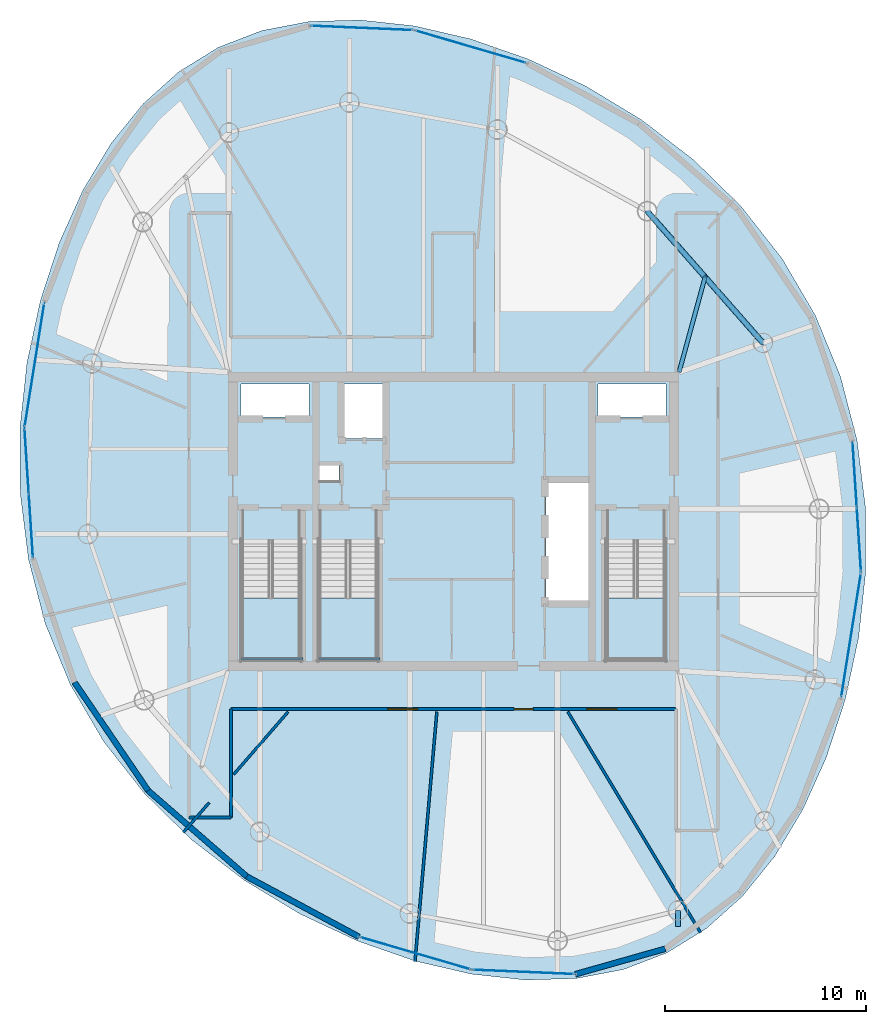
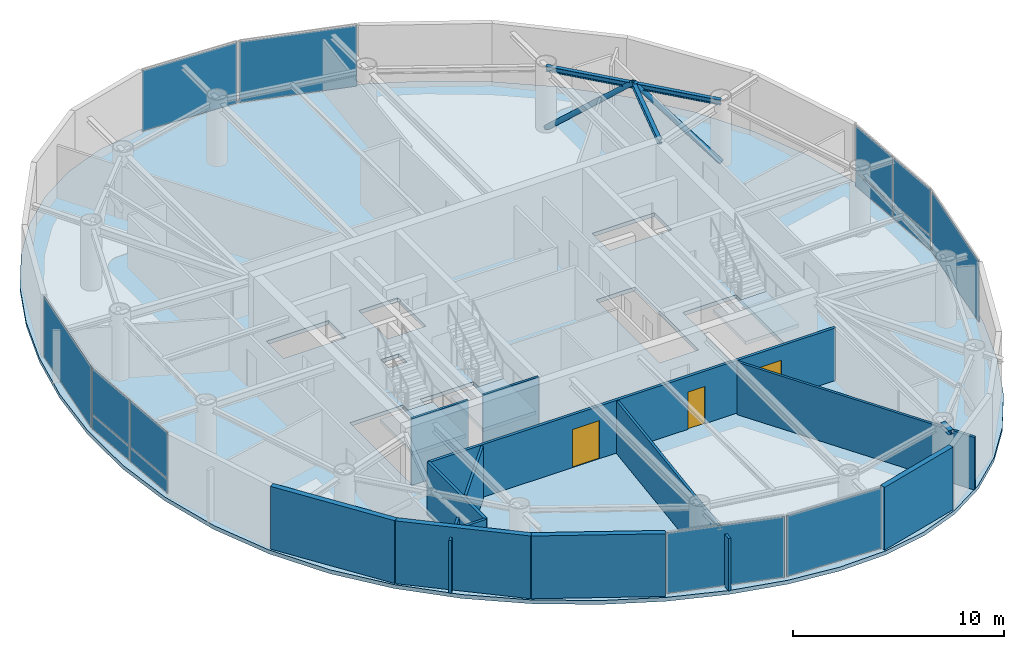
# One storey, part 12 of 18: 14 plates, 13 walls, 4 slabs, 3 beams, 3 doors, 2 members, 3 openings, 11 elements without a shape of their own.
"""IFC4 building model written with IfcOpenShell, lengths in metres."""

import ifcopenshell
import ifcopenshell.guid

model = None  # the IFC model being written
_history = None  # IfcOwnerHistory: only IFC2X3 demands one
_inside = {}  # id of a spatial element -> (the spatial element, [elements in it])
_under = {}  # id of a project, library or spatial element -> (it, [spatial elements below it])
_declared = {}  # id of a project -> (the project, [libraries it declares])
_typed = {}  # id of a type object -> (the type object, [elements of that type])
_made_of = {}  # id of a material, layer set ... -> (it, [elements and type objects made of it])


def new_model(schema):
    """Start an empty IFC model of exactly this schema.

    Asked for "IFC4X3", IfcOpenShell would pick the latest addendum, in which some entities
    have other attributes; the version numbers below select the first issue.
    IFC2X3 requires an IfcOwnerHistory on every rooted entity: one is made here for all.
    """
    global model, _history
    if schema == "IFC4X3":
        model = ifcopenshell.file(schema_version=(4, 3, 0, 0))
    else:
        model = ifcopenshell.file(schema=schema)
    _inside.clear()
    _under.clear()
    _declared.clear()
    _typed.clear()
    _made_of.clear()
    _history = None
    if model.schema == "IFC2X3":
        org = make("IfcOrganization", Name="unknown")
        user = make(
            "IfcPersonAndOrganization",
            ThePerson=make("IfcPerson", FamilyName="unknown"),
            TheOrganization=org,
        )
        app = make(
            "IfcApplication",
            ApplicationDeveloper=org,
            Version="unknown",
            ApplicationFullName="unknown",
            ApplicationIdentifier="unknown",
        )
        _history = make(
            "IfcOwnerHistory",
            OwningUser=user,
            OwningApplication=app,
            ChangeAction="ADDED",
            CreationDate=0,
        )
    return model


def make(cls, **values):
    """One entity of the class cls with the attributes given. An attribute that is None is left unset."""
    return model.create_entity(
        cls, **{name: value for name, value in values.items() if value is not None}
    )


def rooted(cls, **values):
    """An entity with a GlobalId (a new one), such as an element, a storey or a relation."""
    return make(cls, GlobalId=ifcopenshell.guid.new(), OwnerHistory=_history, **values)


def si_unit(unit_type, name, prefix=None):
    """IfcSIUnit, for example si_unit("LENGTHUNIT", "METRE", prefix="MILLI")."""
    return make("IfcSIUnit", UnitType=unit_type, Prefix=prefix, Name=name)


def assignment(units):
    """IfcUnitAssignment: the units of a project."""
    return None if units is None else make("IfcUnitAssignment", Units=units)


def point(xyz):
    """IfcCartesianPoint."""
    return None if xyz is None else make("IfcCartesianPoint", Coordinates=xyz)


def direction(xyz):
    """IfcDirection."""
    return None if xyz is None else make("IfcDirection", DirectionRatios=xyz)


def frame(location, z_axis=None, x_axis=None):
    """IfcAxis2Placement3D, a coordinate frame: its origin and axes. An axis left out is left unset."""
    return make(
        "IfcAxis2Placement3D",
        Location=point(location),
        Axis=direction(z_axis),
        RefDirection=direction(x_axis),
    )


def frame_2d(location, x_axis=None):
    """IfcAxis2Placement2D, a coordinate frame in the plane: its origin and x axis."""
    return make(
        "IfcAxis2Placement2D", Location=point(location), RefDirection=direction(x_axis)
    )


def origin():
    """The frame at (0, 0, 0) with its axes left unset."""
    return frame((0.0, 0.0, 0.0))


def origin_2d():
    """The frame at (0, 0) in the plane with its x axis left unset."""
    return frame_2d((0.0, 0.0))


def place(relative_to, where):
    """IfcLocalPlacement: puts the frame where relative to a parent placement (None: the world)."""
    return make(
        "IfcLocalPlacement", PlacementRelTo=relative_to, RelativePlacement=where
    )


def context(
    kind, dimensions, precision=None, world=None, true_north=None, identifier=None
):
    """IfcGeometricRepresentationContext, for example the 3D "Model" context."""
    return make(
        "IfcGeometricRepresentationContext",
        ContextIdentifier=identifier,
        ContextType=kind,
        CoordinateSpaceDimension=dimensions,
        Precision=precision,
        WorldCoordinateSystem=world,
        TrueNorth=true_north,
    )


def subcontext(parent, identifier, kind, view, scale=None):
    """IfcGeometricRepresentationSubContext, for example "Body" below "Model"."""
    return make(
        "IfcGeometricRepresentationSubContext",
        ContextIdentifier=identifier,
        ContextType=kind,
        ParentContext=parent,
        TargetScale=scale,
        TargetView=view,
    )


def project(units=None, contexts=None):
    """IfcProject with its units and contexts."""
    return rooted(
        "IfcProject",
        Name="project",
        RepresentationContexts=contexts,
        UnitsInContext=assignment(units),
    )


def spatial(cls, under=None, at=None, **own):
    """A site, building, storey or space (cls), placed at a placement, below another one or the project."""
    s = rooted(cls, ObjectPlacement=at, **own)
    if under is not None:
        _under.setdefault(under.id(), (under, []))[1].append(s)
    return s


def polyline(points):
    """IfcPolyline through the points."""
    return make("IfcPolyline", Points=[point(p) for p in points])


def profile(cls, at=None, kind="AREA", **sizes):
    """A parametric profile (cls). Its sizes go by their IFC names, for example OverallWidth=200.0."""
    return make(cls, ProfileType=kind, Position=at, **sizes)


def rectangle(**sizes):
    """IfcRectangleProfileDef."""
    return profile("IfcRectangleProfileDef", **sizes)


def hollow_circle(**sizes):
    """IfcCircleHollowProfileDef."""
    return profile("IfcCircleHollowProfileDef", **sizes)


def i_section(**sizes):
    """IfcIShapeProfileDef."""
    return profile("IfcIShapeProfileDef", **sizes)


def outline(outer, holes=None, kind="AREA"):
    """IfcArbitraryClosedProfileDef: a profile drawn as a closed curve; with holes, ...WithVoids."""
    if holes is None:
        return make("IfcArbitraryClosedProfileDef", ProfileType=kind, OuterCurve=outer)
    return make(
        "IfcArbitraryProfileDefWithVoids",
        ProfileType=kind,
        OuterCurve=outer,
        InnerCurves=holes,
    )


def extrude(swept, where, along, depth):
    """IfcExtrudedAreaSolid: the profile swept, set in the frame where, extruded along a direction by depth."""
    return make(
        "IfcExtrudedAreaSolid",
        SweptArea=swept,
        Position=where,
        ExtrudedDirection=direction(along),
        Depth=depth,
    )


def shape(context_of_items, identifier, shape_type, items):
    """IfcShapeRepresentation: the items that make up one representation, for example the "Body"."""
    return make(
        "IfcShapeRepresentation",
        ContextOfItems=context_of_items,
        RepresentationIdentifier=identifier,
        RepresentationType=shape_type,
        Items=items,
    )


def material(Name=None, Category=None):
    """IfcMaterial."""
    return make("IfcMaterial", Name=Name, Category=Category)


def layer(
    of_material, thickness, ventilated=None, Name=None, Category=None, Priority=None
):
    """IfcMaterialLayer: one layer of a wall or slab, of a material (None: an air gap)."""
    return make(
        "IfcMaterialLayer",
        Material=of_material,
        LayerThickness=thickness,
        IsVentilated=ventilated,
        Name=Name,
        Category=Category,
        Priority=Priority,
    )


def layer_set(layers, Name=None):
    """IfcMaterialLayerSet."""
    return make("IfcMaterialLayerSet", MaterialLayers=layers, LayerSetName=Name)


def material_profile(
    of_material, cross_section, Name=None, Category=None, Priority=None
):
    """IfcMaterialProfile: a cross section and its material."""
    return make(
        "IfcMaterialProfile",
        Name=Name,
        Material=of_material,
        Profile=cross_section,
        Priority=Priority,
        Category=Category,
    )


def profile_set(profiles, Name=None, composite=None):
    """IfcMaterialProfileSet."""
    return make(
        "IfcMaterialProfileSet",
        Name=Name,
        MaterialProfiles=profiles,
        CompositeProfile=composite,
    )


def made_of(thing, what):
    """Note that an element or type object is made of a material, layer set ...; save() writes the relation."""
    if what is not None:
        _made_of.setdefault(what.id(), (what, []))[1].append(thing)
    return thing


def type_object(cls, material=None, **own):
    """A type object (cls), such as IfcWallType, which elements share."""
    return made_of(rooted(cls, **own), material)


def element(
    cls,
    number,
    at=None,
    inside=None,
    cuts=None,
    type_object=None,
    material=None,
    context=None,
    identifier="Body",
    shape_type=None,
    held_by="IfcProductDefinitionShape",
    body=None,
    shapes=None,
    **own,
):
    """One element of the class cls, such as IfcWall. Its Tag is "e" and its number.

    at: its placement. inside: the storey or other place that contains it. cuts: it is an
    opening in that element (IfcRelVoidsElement). A single representation is given by context,
    identifier, shape_type and body (its items); several are given by shapes. held_by: the class
    of the entity that holds the representations. save() writes the other relations.
    """
    e = rooted(cls, Tag="e%d" % number, ObjectPlacement=at, **own)
    if body is not None:
        shapes = [shape(context, identifier, shape_type, body)]
    if shapes is not None:
        e.Representation = make(held_by, Representations=shapes)
    if inside is not None:
        _inside.setdefault(inside.id(), (inside, []))[1].append(e)
    if cuts is not None:
        rooted(
            "IfcRelVoidsElement", RelatingBuildingElement=cuts, RelatedOpeningElement=e
        )
    if type_object is not None:
        _typed.setdefault(type_object.id(), (type_object, []))[1].append(e)
    return made_of(e, material)


def fill(opening, filler):
    """IfcRelFillsElement: the door or window that sits in an opening."""
    return rooted(
        "IfcRelFillsElement",
        RelatingOpeningElement=opening,
        RelatedBuildingElement=filler,
    )


def aggregate(whole, parts):
    """IfcRelAggregates: a whole, such as a stair, and the parts it consists of."""
    return rooted("IfcRelAggregates", RelatingObject=whole, RelatedObjects=parts)


def save(model, path):
    """Write the relations noted so far, then the file.

    IfcRelAggregates (storeys below a building ...), IfcRelContainedInSpatialStructure (elements
    in a storey), IfcRelDefinesByType, IfcRelAssociatesMaterial and IfcRelDeclares: one each for
    every whole, place, type object, material and project.
    """
    for whole, parts in _under.values():
        aggregate(whole, parts)
    for where, things in _inside.values():
        rooted(
            "IfcRelContainedInSpatialStructure",
            RelatedElements=things,
            RelatingStructure=where,
        )
    for kind, things in _typed.values():
        rooted("IfcRelDefinesByType", RelatedObjects=things, RelatingType=kind)
    for what, things in _made_of.values():
        rooted("IfcRelAssociatesMaterial", RelatedObjects=things, RelatingMaterial=what)
    for by, libraries in _declared.values():
        rooted("IfcRelDeclares", RelatingContext=by, RelatedDefinitions=libraries)
    model.write(path)


model = new_model("IFC4")

# Units and contexts
model_context = context("Model", 3, precision=1e-05, world=origin(), true_north=direction((0.0, 1.0)))
body_context = subcontext(model_context, "Body", "Model", "MODEL_VIEW")
ifc_project = project(units=[si_unit("LENGTHUNIT", "METRE"), si_unit("AREAUNIT", "SQUARE_METRE"), si_unit("VOLUMEUNIT", "CUBIC_METRE"), si_unit("PLANEANGLEUNIT", "RADIAN"), si_unit("MASSUNIT", "GRAM", prefix="KILO")], contexts=[model_context])

# Site, building, storey
site_placement = place(None, origin())
site = spatial("IfcSite", under=ifc_project, at=site_placement, CompositionType="ELEMENT")
building_placement = place(site_placement, origin())
building = spatial("IfcBuilding", under=site, at=building_placement, Name="Bramvorn Convention Spire", CompositionType="ELEMENT")
storey_placement = place(building_placement, frame((0.0, 0.0, 288.25)))
storey = spatial("IfcBuildingStorey", under=building, at=storey_placement, Name="L73", CompositionType="ELEMENT", Elevation=288.25)

# Beams
ifc_material_1 = material(Name="Steel CSA G40.21 Grade 350 (350W)", Category="steel")
ifc_material_profile_1 = material_profile(ifc_material_1, i_section(OverallWidth=0.201904296875, OverallDepth=0.2470703125, WebThickness=0.00732421875, FlangeThickness=0.010986328125, FilletRadius=0.011962890625, at=origin_2d()))
ifc_profile_set_1 = profile_set([ifc_material_profile_1], Name="Steel CSA G40.21 Grade 350 (350W) - W250X49")
beam_type_1 = type_object("IfcBeamType", Name="BM-W250X49", PredefinedType="JOIST", material=ifc_profile_set_1)
beam_1_placement = place(storey_placement, frame((49.25, 33.449951171875, 3.50146484375), z_axis=(0.26386506219, 0.96455960363, 0.0), x_axis=(-0.96455960363, 0.26386506219, 0.0)))
element("IfcBeam", 1, at=beam_1_placement, inside=storey, type_object=beam_type_1, Name="L73 composite floor joist 05", PredefinedType="JOIST", context=body_context, shape_type="SweptSolid", body=[
    extrude(i_section(OverallWidth=0.201904296875, OverallDepth=0.2470703125, WebThickness=0.00732421875, FlangeThickness=0.010986328125, FilletRadius=0.011962890625, at=origin_2d()), origin(), (0.0, 0.0, 1.0), 4.917724609375),
])
ifc_material_profile_2 = material_profile(ifc_material_1, i_section(OverallWidth=0.25390625, OverallDepth=0.2529296875, WebThickness=0.008544921875, FlangeThickness=0.01416015625, FilletRadius=0.011962890625, at=origin_2d()))
ifc_profile_set_2 = profile_set([ifc_material_profile_2], Name="Steel CSA G40.21 Grade 350 (350W) - W250X73")
beam_type_2 = type_object("IfcBeamType", Name="BM-W250X73", PredefinedType="BEAM", material=ifc_profile_set_2)
beam_2_placement = place(storey_placement, frame((49.199951171875, 6.60107421875, 3.49853515625), z_axis=(0.0, -1.0, 0.0), x_axis=(1.0, 0.0, 0.0)))
element("IfcBeam", 2, at=beam_2_placement, inside=storey, type_object=beam_type_2, Name="L73 slab-edge cantilever tip beam MC01", PredefinedType="BEAM", context=body_context, shape_type="SweptSolid", body=[
    extrude(i_section(OverallWidth=0.25390625, OverallDepth=0.2529296875, WebThickness=0.008544921875, FlangeThickness=0.01416015625, FilletRadius=0.011962890625, at=origin_2d()), origin(), (0.0, 0.0, 1.0), 0.800048828125),
])
ifc_material_profile_3 = material_profile(ifc_material_1, i_section(OverallWidth=0.202880859375, OverallDepth=0.302978515625, WebThickness=0.007568359375, FlangeThickness=0.01318359375, FilletRadius=0.013916015625, at=origin_2d()))
ifc_profile_set_3 = profile_set([ifc_material_profile_3], Name="Steel CSA G40.21 Grade 350 (350W) - W310X60")
beam_type_3 = type_object("IfcBeamType", Name="BM-W310X60", PredefinedType="JOIST", material=ifc_profile_set_3)
beam_3_placement = place(storey_placement, frame((53.4326171875, 34.909912109375, 3.473388671875), z_axis=(-0.660073062339, 0.751201405999, 0.0), x_axis=(-0.751201405999, -0.660073062339, 0.0)))
element("IfcBeam", 3, at=beam_3_placement, inside=storey, type_object=beam_type_3, Name="L73 mega-column ring beam 05", PredefinedType="JOIST", context=body_context, shape_type="SweptSolid", body=[
    extrude(i_section(OverallWidth=0.202880859375, OverallDepth=0.302978515625, WebThickness=0.007568359375, FlangeThickness=0.01318359375, FilletRadius=0.013916015625, at=origin_2d()), origin(), (0.0, 0.0, 1.0), 8.741943359375),
])

# Members
ifc_material_profile_4 = material_profile(ifc_material_1, hollow_circle(Radius=0.136474609375, WallThickness=0.0126953125, at=origin_2d()))
ifc_profile_set_4 = profile_set([ifc_material_profile_4], Name="Steel CSA G40.21 Grade 350 (350W) - CHS273X13")
member_type = type_object("IfcMemberType", Name="MBR-CHS273X13", PredefinedType="BRACE", material=ifc_profile_set_4)
for number, where, z_axis, x_axis, name in (
    (4, (53.4326171875, 34.909912109375, 0.0), (-0.508061812102, 0.578228256829, 0.63837706576), (-0.751215254017, -0.660057302158, 0.0), "L73 perimeter Gothic lancet brace 5A"),
    (5, (47.662353515625, 41.476806640625, 0.0), (0.50809370726, -0.578215626074, 0.63836312112), (0.751187558161, 0.660088821648, 0.0), "L73 perimeter Gothic lancet brace 5B"),
):
    element("IfcMember", number, at=place(storey_placement, frame(where, z_axis=z_axis, x_axis=x_axis)), inside=storey, type_object=member_type, Name=name, PredefinedType="BRACE", context=body_context, shape_type="SweptSolid", body=[
        extrude(hollow_circle(Radius=0.136474609375, WallThickness=0.0126953125, at=origin_2d()), origin(), (0.0, 0.0, 1.0), 5.678466796875),
    ])

# Curtain wall, plate
ifc_material_2 = material(Name="Anodised Bronze Unitised Curtain Wall", Category="aluminium")
ifc_layer_1 = layer(ifc_material_2, 0.179931640625)
ifc_layer_set_1 = layer_set([ifc_layer_1], Name="Anodised Bronze Unitised Curtain Wall - CW-OFF-FRIT")
curtain_wall_type = type_object("IfcCurtainWallType", Name="CW-OFF-FRIT", PredefinedType="USERDEFINED", material=ifc_layer_set_1)
curtain_wall_1_placement = place(storey_placement, origin())
curtain_wall_1 = element("IfcCurtainWall", 6, at=curtain_wall_1_placement, inside=storey, type_object=curtain_wall_type, Name="L73 fritted glass curtain wall 04", ObjectType="UNITISED CURTAIN WALL", PredefinedType="USERDEFINED")
ifc_material_3 = material(Name="Laminated Low-E Glass (Triple IGU High-VLT Low-Iron 22%)", Category="glass")
ifc_layer_2 = layer(ifc_material_3, 0.0419921875)
ifc_layer_set_2 = layer_set([ifc_layer_2], Name="Laminated Low-E Glass (Triple IGU High-VLT Low-Iron 22%) - PNL-IGU-4")
plate_type = type_object("IfcPlateType", Name="PNL-IGU-4", PredefinedType="CURTAIN_PANEL", material=ifc_layer_set_2)
plate_1_placement = place(storey_placement, frame((57.831787109375, 20.337158203125, 0.06005859375), z_axis=(0.0, 0.0, 1.0), x_axis=(-0.156934441487, -0.987609022374, 0.0)))
plate_1 = element("IfcPlate", 7, at=plate_1_placement, type_object=plate_type, Name="CW3 panel 1.1", PredefinedType="CURTAIN_PANEL", context=body_context, shape_type="SweptSolid", body=[
    extrude(rectangle(XDim=6.225341796875, YDim=0.028076171875, at=origin_2d()), origin(), (0.0, 0.0, 1.0), 3.5048828125),
])
aggregate(curtain_wall_1, [plate_1])

# Curtain wall, plates
curtain_wall_2_placement = place(storey_placement, origin())
curtain_wall_2 = element("IfcCurtainWall", 8, at=curtain_wall_2_placement, inside=storey, type_object=curtain_wall_type, Name="L73 fritted glass curtain wall 05", ObjectType="UNITISED CURTAIN WALL", PredefinedType="USERDEFINED")
plate_2_placement = place(storey_placement, frame((58.01123046875, 28.33984375, 0.06005859375), z_axis=(0.0, 0.0, 1.0), x_axis=(0.065260907399, -0.997868234771, 0.0)))
plate_2 = element("IfcPlate", 9, at=plate_2_placement, type_object=plate_type, Name="CW3 panel 1.1", PredefinedType="CURTAIN_PANEL", context=body_context, shape_type="SweptSolid", body=[
    extrude(rectangle(XDim=3.173095703125, YDim=0.028076171875, at=origin_2d()), origin(), (0.0, 0.0, 1.0), 0.81005859375),
])
plate_3_placement = place(storey_placement, frame((58.01123046875, 28.33984375, 0.93017578125), z_axis=(0.0, 0.0, 1.0), x_axis=(0.065260907399, -0.997868234771, 0.0)))
plate_3 = element("IfcPlate", 10, at=plate_3_placement, type_object=plate_type, Name="CW3 panel 1.2", PredefinedType="CURTAIN_PANEL", context=body_context, shape_type="SweptSolid", body=[
    extrude(rectangle(XDim=3.173095703125, YDim=0.028076171875, at=origin_2d()), origin(), (0.0, 0.0, 1.0), 2.635009765625),
])
plate_4_placement = place(storey_placement, frame((58.22216796875, 25.113525390625, 0.06005859375), z_axis=(0.0, 0.0, 1.0), x_axis=(0.065260907399, -0.997868234771, 0.0)))
plate_4 = element("IfcPlate", 11, at=plate_4_placement, type_object=plate_type, Name="CW3 panel 2.1", PredefinedType="CURTAIN_PANEL", context=body_context, shape_type="SweptSolid", body=[
    extrude(rectangle(XDim=3.173095703125, YDim=0.028076171875, at=origin_2d()), origin(), (0.0, 0.0, 1.0), 0.81005859375),
])
plate_5_placement = place(storey_placement, frame((58.22216796875, 25.113525390625, 0.93017578125), z_axis=(0.0, 0.0, 1.0), x_axis=(0.065260907399, -0.997868234771, 0.0)))
plate_5 = element("IfcPlate", 12, at=plate_5_placement, type_object=plate_type, Name="CW3 panel 2.2", PredefinedType="CURTAIN_PANEL", context=body_context, shape_type="SweptSolid", body=[
    extrude(rectangle(XDim=3.173095703125, YDim=0.028076171875, at=origin_2d()), origin(), (0.0, 0.0, 1.0), 2.635009765625),
])
aggregate(curtain_wall_2, [plate_2, plate_3, plate_4, plate_5])

# Curtain wall, plate
curtain_wall_3_placement = place(storey_placement, origin())
curtain_wall_3 = element("IfcCurtainWall", 13, at=curtain_wall_3_placement, inside=storey, type_object=curtain_wall_type, Name="L73 fritted glass curtain wall 10", ObjectType="UNITISED CURTAIN WALL", PredefinedType="USERDEFINED")
plate_6_placement = place(storey_placement, frame((38.841552734375, 49.6826171875, 0.06005859375), z_axis=(0.0, 0.0, 1.0), x_axis=(0.959835081978, -0.280564814978, 0.0)))
plate_6 = element("IfcPlate", 14, at=plate_6_placement, type_object=plate_type, Name="CW3 panel 1.1", PredefinedType="CURTAIN_PANEL", context=body_context, shape_type="SweptSolid", body=[
    extrude(rectangle(XDim=5.739990234375, YDim=0.028076171875, at=origin_2d()), origin(), (0.0, 0.0, 1.0), 3.5048828125),
])
aggregate(curtain_wall_3, [plate_6])

curtain_wall_4_placement = place(storey_placement, origin())
curtain_wall_4 = element("IfcCurtainWall", 15, at=curtain_wall_4_placement, inside=storey, type_object=curtain_wall_type, Name="L73 fritted glass curtain wall 11", ObjectType="UNITISED CURTAIN WALL", PredefinedType="USERDEFINED")
plate_7_placement = place(storey_placement, frame((33.44189453125, 50.615478515625, 0.06005859375), z_axis=(0.0, 0.0, 1.0), x_axis=(0.99908177453, -0.042843993774, 0.0)))
plate_7 = element("IfcPlate", 16, at=plate_7_placement, type_object=plate_type, Name="CW3 panel 1.1", PredefinedType="CURTAIN_PANEL", context=body_context, shape_type="SweptSolid", body=[
    extrude(rectangle(XDim=5.059326171875, YDim=0.028076171875, at=origin_2d()), origin(), (0.0, 0.0, 1.0), 3.5048828125),
])
aggregate(curtain_wall_4, [plate_7])

curtain_wall_5_placement = place(storey_placement, origin())
curtain_wall_5 = element("IfcCurtainWall", 17, at=curtain_wall_5_placement, inside=storey, type_object=curtain_wall_type, Name="L73 fritted glass curtain wall 16", ObjectType="UNITISED CURTAIN WALL", PredefinedType="USERDEFINED")
plate_8_placement = place(storey_placement, frame((17.10302734375, 33.8134765625, 0.06005859375), z_axis=(0.0, 0.0, 1.0), x_axis=(0.156936884111, 0.98760863423, 0.0)))
plate_8 = element("IfcPlate", 18, at=plate_8_placement, type_object=plate_type, Name="CW3 panel 1.1", PredefinedType="CURTAIN_PANEL", context=body_context, shape_type="SweptSolid", body=[
    extrude(rectangle(XDim=6.225341796875, YDim=0.028076171875, at=origin_2d()), origin(), (0.0, 0.0, 1.0), 3.5048828125),
])
aggregate(curtain_wall_5, [plate_8])

# Curtain wall, plates
curtain_wall_6_placement = place(storey_placement, origin())
curtain_wall_6 = element("IfcCurtainWall", 19, at=curtain_wall_6_placement, inside=storey, type_object=curtain_wall_type, Name="L73 fritted glass curtain wall 17", ObjectType="UNITISED CURTAIN WALL", PredefinedType="USERDEFINED")
plate_9_placement = place(storey_placement, frame((16.923583984375, 25.810791015625, 0.06005859375), z_axis=(0.0, 0.0, 1.0), x_axis=(-0.065275167092, 0.99786730208, 0.0)))
plate_9 = element("IfcPlate", 20, at=plate_9_placement, type_object=plate_type, Name="CW3 panel 1.1", PredefinedType="CURTAIN_PANEL", context=body_context, shape_type="SweptSolid", body=[
    extrude(rectangle(XDim=3.173095703125, YDim=0.028076171875, at=origin_2d()), origin(), (0.0, 0.0, 1.0), 0.81005859375),
])
plate_10_placement = place(storey_placement, frame((16.923583984375, 25.810791015625, 0.93017578125), z_axis=(0.0, 0.0, 1.0), x_axis=(-0.065275167092, 0.99786730208, 0.0)))
plate_10 = element("IfcPlate", 21, at=plate_10_placement, type_object=plate_type, Name="CW3 panel 1.2", PredefinedType="CURTAIN_PANEL", context=body_context, shape_type="SweptSolid", body=[
    extrude(rectangle(XDim=3.173095703125, YDim=0.028076171875, at=origin_2d()), origin(), (0.0, 0.0, 1.0), 2.635009765625),
])
plate_11_placement = place(storey_placement, frame((16.712646484375, 29.037109375, 0.06005859375), z_axis=(0.0, 0.0, 1.0), x_axis=(-0.065275167092, 0.99786730208, 0.0)))
plate_11 = element("IfcPlate", 22, at=plate_11_placement, type_object=plate_type, Name="CW3 panel 2.1", PredefinedType="CURTAIN_PANEL", context=body_context, shape_type="SweptSolid", body=[
    extrude(rectangle(XDim=3.173095703125, YDim=0.028076171875, at=origin_2d()), origin(), (0.0, 0.0, 1.0), 0.81005859375),
])
plate_12_placement = place(storey_placement, frame((16.712646484375, 29.037109375, 0.93017578125), z_axis=(0.0, 0.0, 1.0), x_axis=(-0.065275167092, 0.99786730208, 0.0)))
plate_12 = element("IfcPlate", 23, at=plate_12_placement, type_object=plate_type, Name="CW3 panel 2.2", PredefinedType="CURTAIN_PANEL", context=body_context, shape_type="SweptSolid", body=[
    extrude(rectangle(XDim=3.173095703125, YDim=0.028076171875, at=origin_2d()), origin(), (0.0, 0.0, 1.0), 2.635009765625),
])
aggregate(curtain_wall_6, [plate_9, plate_10, plate_11, plate_12])

# Curtain wall, plate
curtain_wall_7_placement = place(storey_placement, origin())
curtain_wall_7 = element("IfcCurtainWall", 24, at=curtain_wall_7_placement, inside=storey, type_object=curtain_wall_type, Name="L73 fritted glass curtain wall 22", ObjectType="UNITISED CURTAIN WALL", PredefinedType="USERDEFINED")
plate_13_placement = place(storey_placement, frame((36.09326171875, 4.468017578125, 0.06005859375), z_axis=(0.0, 0.0, 1.0), x_axis=(-0.959836425242, 0.280560219523, 0.0)))
plate_13 = element("IfcPlate", 25, at=plate_13_placement, type_object=plate_type, Name="CW3 panel 1.1", PredefinedType="CURTAIN_PANEL", context=body_context, shape_type="SweptSolid", body=[
    extrude(rectangle(XDim=5.739990234375, YDim=0.028076171875, at=origin_2d()), origin(), (0.0, 0.0, 1.0), 3.5048828125),
])
aggregate(curtain_wall_7, [plate_13])

curtain_wall_8_placement = place(storey_placement, origin())
curtain_wall_8 = element("IfcCurtainWall", 26, at=curtain_wall_8_placement, inside=storey, type_object=curtain_wall_type, Name="L73 fritted glass curtain wall 23", ObjectType="UNITISED CURTAIN WALL", PredefinedType="USERDEFINED")
plate_14_placement = place(storey_placement, frame((41.492919921875, 3.53515625, 0.06005859375), z_axis=(0.0, 0.0, 1.0), x_axis=(-0.999082565397, 0.04282554751, 0.0)))
plate_14 = element("IfcPlate", 27, at=plate_14_placement, type_object=plate_type, Name="CW3 panel 1.1", PredefinedType="CURTAIN_PANEL", context=body_context, shape_type="SweptSolid", body=[
    extrude(rectangle(XDim=5.05908203125, YDim=0.028076171875, at=origin_2d()), origin(), (0.0, 0.0, 1.0), 3.5048828125),
])
aggregate(curtain_wall_8, [plate_14])

# Stair, slab
ifc_material_4 = material(Name="Concrete C40/50 Precast Stair", Category="concrete")
stair_type = type_object("IfcStairType", Name="ST-TOWER-1550", PredefinedType="HALF_TURN_STAIR", material=ifc_material_4)
stair_1_placement = place(storey_placement, origin())
stair_1 = element("IfcStair", 28, at=stair_1_placement, inside=storey, type_object=stair_type, Name="L73 Protected Exit Stair ST1", PredefinedType="HALF_TURN_STAIR")
ifc_material_5 = material(Name="Concrete C40/50 Stair Landing", Category="concrete")
ifc_layer_3 = layer(ifc_material_5, 0.219970703125)
ifc_layer_set_3 = layer_set([ifc_layer_3], Name="Concrete C40/50 Stair Landing - SLB-STAIR-LANDING")
slab_type_1 = type_object("IfcSlabType", Name="SLB-STAIR-LANDING", PredefinedType="LANDING", material=ifc_layer_set_3)
slab_1_placement = place(storey_placement, frame((0.0, 0.0, 1.72509765625)))
slab_1 = element("IfcSlab", 29, at=slab_1_placement, type_object=slab_type_1, Name="ST1 landing 1", PredefinedType="LANDING", context=body_context, shape_type="SweptSolid", body=[
    extrude(outline(polyline([(27.449951171875, 22.199951171875), (27.449951171875, 19.10009765625), (30.35009765625, 19.10009765625), (30.35009765625, 22.199951171875), (27.449951171875, 22.199951171875)])), origin(), (0.0, 0.0, 1.0), 0.199951171875),
])
aggregate(stair_1, [slab_1])

stair_2_placement = place(storey_placement, origin())
stair_2 = element("IfcStair", 30, at=stair_2_placement, inside=storey, type_object=stair_type, Name="L73 Protected Exit Stair ST2", PredefinedType="HALF_TURN_STAIR")
slab_2_placement = place(storey_placement, frame((0.0, 0.0, 1.72509765625)))
slab_2 = element("IfcSlab", 31, at=slab_2_placement, type_object=slab_type_1, Name="ST2 landing 1", PredefinedType="LANDING", context=body_context, shape_type="SweptSolid", body=[
    extrude(outline(polyline([(45.64990234375, 22.199951171875), (45.64990234375, 19.10009765625), (48.550048828125, 19.10009765625), (48.550048828125, 22.199951171875), (45.64990234375, 22.199951171875)])), origin(), (0.0, 0.0, 1.0), 0.199951171875),
])
aggregate(stair_2, [slab_2])

stair_3_placement = place(storey_placement, origin())
stair_3 = element("IfcStair", 32, at=stair_3_placement, inside=storey, type_object=stair_type, Name="L73 Protected Exit Stair ST3", PredefinedType="HALF_TURN_STAIR")
slab_3_placement = place(storey_placement, frame((0.0, 0.0, 1.72509765625)))
slab_3 = element("IfcSlab", 33, at=slab_3_placement, type_object=slab_type_1, Name="ST3 landing 1", PredefinedType="LANDING", context=body_context, shape_type="SweptSolid", body=[
    extrude(outline(polyline([(31.300048828125, 22.199951171875), (31.300048828125, 19.10009765625), (34.199951171875, 19.10009765625), (34.199951171875, 22.199951171875), (31.300048828125, 22.199951171875)])), origin(), (0.0, 0.0, 1.0), 0.199951171875),
])
aggregate(stair_3, [slab_3])

# Slab
ifc_material_6 = material(Name="Concrete C40/50", Category="concrete")
ifc_layer_4 = layer(ifc_material_6, 0.22509765625)
ifc_layer_set_4 = layer_set([ifc_layer_4], Name="Concrete C40/50 - SLB-Z4-225")
slab_type_2 = type_object("IfcSlabType", Name="SLB-Z4-225", PredefinedType="FLOOR", material=ifc_layer_set_4)
slab_4_placement = place(storey_placement, frame((0.0, 0.0, -0.22509765625)))
element("IfcSlab", 34, at=slab_4_placement, inside=storey, type_object=slab_type_2, Name="L73 tower floor slab", PredefinedType="FLOOR", context=body_context, shape_type="SweptSolid", body=[
    extrude(outline(polyline([(48.652587890625, 4.49365234375), (50.62890625, 5.713134765625), (52.416015625, 7.31591796875), (54.0126953125, 9.289306640625), (55.412353515625, 11.609619140625), (56.59814453125, 14.240478515625), (57.542236328125, 17.133544921875), (58.208740234375, 20.2294921875), (58.555908203125, 23.4599609375), (58.54248046875, 26.752197265625), (58.132568359375, 30.03271484375), (57.303466796875, 33.229736328125), (56.048828125, 36.279052734375), (54.383544921875, 39.124755859375), (52.3427734375, 41.7216796875), (49.981689453125, 44.03564453125), (47.370849609375, 46.04150390625), (44.5908203125, 47.72314453125), (41.72412109375, 49.06884765625), (38.8505859375, 50.071044921875), (36.039306640625, 50.72216796875), (33.34521484375, 51.014892578125), (30.807861328125, 50.9404296875), (28.4501953125, 50.490234375), (26.2822265625, 49.656982421875), (24.305908203125, 48.4375), (22.518798828125, 46.834716796875), (20.922119140625, 44.861328125), (19.522216796875, 42.541015625), (18.336669921875, 39.91015625), (17.392578125, 37.01708984375), (16.72607421875, 33.92138671875), (16.37890625, 30.690673828125), (16.392333984375, 27.398193359375), (16.80224609375, 24.117919921875), (17.63134765625, 20.9208984375), (18.885986328125, 17.87158203125), (20.55126953125, 15.02587890625), (22.592041015625, 12.4287109375), (24.953125, 10.114990234375), (27.56396484375, 8.10888671875), (30.343994140625, 6.427490234375), (33.210693359375, 5.081787109375), (36.084228515625, 4.07958984375), (38.8955078125, 3.428466796875), (41.58935546875, 3.1357421875), (44.126953125, 3.210205078125), (46.484619140625, 3.660400390625), (48.652587890625, 4.49365234375)]), holes=[polyline([(27.449951171875, 25.050048828125), (27.449951171875, 19.10009765625), (30.35009765625, 19.10009765625), (30.35009765625, 25.050048828125), (27.449951171875, 25.050048828125)]), polyline([(45.64990234375, 25.050048828125), (45.64990234375, 19.10009765625), (48.550048828125, 19.10009765625), (48.550048828125, 25.050048828125), (45.64990234375, 25.050048828125)]), polyline([(31.300048828125, 25.050048828125), (31.300048828125, 19.10009765625), (34.199951171875, 19.10009765625), (34.199951171875, 25.050048828125), (31.300048828125, 25.050048828125)]), polyline([(27.39990234375, 31.219970703125), (30.800048828125, 31.219970703125), (30.800048828125, 32.85009765625), (27.39990234375, 32.85009765625), (27.39990234375, 31.219970703125)]), polyline([(45.199951171875, 31.219970703125), (48.60009765625, 31.219970703125), (48.60009765625, 32.85009765625), (45.199951171875, 32.85009765625), (45.199951171875, 31.219970703125)]), polyline([(32.449951171875, 30.14990234375), (34.56005859375, 30.14990234375), (34.56005859375, 32.85009765625), (32.449951171875, 32.85009765625), (32.449951171875, 30.14990234375)]), polyline([(42.6201171875, 22.0), (44.75, 22.0), (44.75, 28.0), (42.6201171875, 28.0), (42.6201171875, 22.0)]), polyline([(31.320068359375, 28.02001953125), (32.280029296875, 28.02001953125), (32.280029296875, 28.820068359375), (31.320068359375, 28.820068359375), (31.320068359375, 28.02001953125)])]), origin(), (0.0, 0.0, 1.0), 0.22509765625),
])

# Walls
ifc_material_7 = material(Name="Precast Concrete C40/50 with Bronze Terracotta Rainscreen", Category="masonry")
ifc_layer_5 = layer(ifc_material_7, 0.300048828125)
ifc_layer_set_5 = layer_set([ifc_layer_5], Name="Precast Concrete C40/50 with Bronze Terracotta Rainscreen - WL-EXT-BRONZE-300")
wall_type_1 = type_object("IfcWallType", Name="WL-EXT-BRONZE-300", PredefinedType="SOLIDWALL", material=ifc_layer_set_5)
wall_1_placement = place(storey_placement, frame((22.7705078125, 12.580810546875, 0.0), z_axis=(0.0, 0.0, 1.0), x_axis=(-0.562539179248, 0.826770628295, 0.0)))
element("IfcWall", 35, at=wall_1_placement, inside=storey, type_object=wall_type_1, Name="L73 expressed bronze Gothic lancet pier wall 19", PredefinedType="SOLIDWALL", context=body_context, shape_type="SweptSolid", body=[
    extrude(rectangle(XDim=6.52685546875, YDim=0.280029296875, at=frame_2d((3.263427734375, 0.0))), origin(), (0.0, 0.0, 1.0), 3.625),
])
wall_2_placement = place(storey_placement, frame((27.692626953125, 8.29541015625, 0.0), z_axis=(0.0, 0.0, 1.0), x_axis=(-0.75420350535, 0.656640748445, 0.0)))
element("IfcWall", 36, at=wall_2_placement, inside=storey, type_object=wall_type_1, Name="L73 expressed bronze Gothic lancet pier wall 20", PredefinedType="SOLIDWALL", context=body_context, shape_type="SweptSolid", body=[
    extrude(rectangle(XDim=6.5263671875, YDim=0.280029296875, at=frame_2d((3.26318359375, 0.0))), origin(), (0.0, 0.0, 1.0), 3.625),
])
wall_3_placement = place(storey_placement, frame((33.281005859375, 5.2900390625, 0.0), z_axis=(0.0, 0.0, 1.0), x_axis=(-0.8807180746, 0.473640869302, 0.0)))
element("IfcWall", 37, at=wall_3_placement, inside=storey, type_object=wall_type_1, Name="L73 expressed bronze Gothic lancet pier wall 21", PredefinedType="SOLIDWALL", context=body_context, shape_type="SweptSolid", body=[
    extrude(rectangle(XDim=6.34521484375, YDim=0.280029296875, at=frame_2d((3.172607421875, 0.0))), origin(), (0.0, 0.0, 1.0), 3.625),
])
wall_4_placement = place(storey_placement, frame((48.5546875, 4.69091796875, 0.0), z_axis=(0.0, 0.0, 1.0), x_axis=(-0.962194624713, -0.272362817165, 0.0)))
element("IfcWall", 38, at=wall_4_placement, inside=storey, type_object=wall_type_1, Name="L73 expressed bronze Gothic lancet pier wall 24", PredefinedType="SOLIDWALL", context=body_context, shape_type="SweptSolid", body=[
    extrude(rectangle(XDim=4.650390625, YDim=0.280029296875, at=frame_2d((2.3251953125, 0.0))), origin(), (0.0, 0.0, 1.0), 3.625),
])
ifc_material_8 = material(Name="Metal-Stud Demountable Office Partition", Category="gypsum")
ifc_layer_6 = layer(ifc_material_8, 0.1298828125)
ifc_layer_set_6 = layer_set([ifc_layer_6], Name="Metal-Stud Demountable Office Partition - WL-PART-130")
wall_type_2 = type_object("IfcWallType", Name="WL-PART-130", PredefinedType="PARTITIONING", material=ifc_layer_set_6)
wall_5_placement = place(storey_placement, frame((29.75048828125, 16.510009765625, 0.0), z_axis=(0.0, 0.0, 1.0), x_axis=(-0.656070441922, -0.754699658961, 0.0)))
element("IfcWall", 39, at=wall_5_placement, inside=storey, type_object=wall_type_2, Name="L73 Tenant suite partition 7", PredefinedType="PARTITIONING", context=body_context, shape_type="SweptSolid", body=[
    extrude(rectangle(XDim=4.13134765625, YDim=0.1298828125, at=frame_2d((2.065673828125, 0.0))), origin(), (0.0, 0.0, 1.0), 3.0400390625),
])
wall_6_placement = place(storey_placement, frame((25.812255859375, 11.9794921875, 0.0), z_axis=(0.0, 0.0, 1.0), x_axis=(-0.656138786001, -0.754640241112, 0.0)))
element("IfcWall", 40, at=wall_6_placement, inside=storey, type_object=wall_type_2, Name="L73 Tenant suite partition 7", PredefinedType="PARTITIONING", context=body_context, shape_type="SweptSolid", body=[
    extrude(rectangle(XDim=1.968017578125, YDim=0.1298828125, at=frame_2d((0.98388671875, 0.0))), origin(), (0.0, 0.0, 1.0), 3.0400390625),
])
wall_7_placement = place(storey_placement, frame((37.169677734375, 16.510009765625, 0.0), z_axis=(0.0, 0.0, 1.0), x_axis=(-0.087154359031, -0.99619481915, 0.0)))
element("IfcWall", 41, at=wall_7_placement, inside=storey, type_object=wall_type_2, Name="L73 Tenant suite partition 8", PredefinedType="PARTITIONING", context=body_context, shape_type="SweptSolid", body=[
    extrude(rectangle(XDim=12.507568359375, YDim=0.1298828125, at=frame_2d((6.25390625, 0.0))), origin(), (0.0, 0.0, 1.0), 3.0400390625),
])
wall_8_placement = place(storey_placement, frame((43.7021484375, 16.510009765625, 0.0), z_axis=(0.0, 0.0, 1.0), x_axis=(0.515034621958, -0.857169375436, 0.0)))
element("IfcWall", 42, at=wall_8_placement, inside=storey, type_object=wall_type_2, Name="L73 Tenant suite partition 9", PredefinedType="PARTITIONING", context=body_context, shape_type="SweptSolid", body=[
    extrude(rectangle(XDim=12.856689453125, YDim=0.1298828125, at=frame_2d((6.42822265625, 0.0))), origin(), (0.0, 0.0, 1.0), 3.0400390625),
])

# Wall, openings, doors
ifc_material_9 = material(Name="Acoustic Metal-Stud Tenant/Corridor Partition", Category="gypsum")
ifc_layer_7 = layer(ifc_material_9, 0.14990234375)
ifc_layer_set_7 = layer_set([ifc_layer_7], Name="Acoustic Metal-Stud Tenant/Corridor Partition - WL-PART-150")
wall_type_3 = type_object("IfcWallType", Name="WL-PART-150", PredefinedType="PARTITIONING", material=ifc_layer_set_7)
wall_9_placement = place(storey_placement, frame((26.89990234375, 16.64990234375, 0.0), z_axis=(0.0, 0.0, 1.0), x_axis=(1.0, 0.0, 0.0)))
wall_9 = element("IfcWall", 43, at=wall_9_placement, inside=storey, type_object=wall_type_3, Name="L73 South H-crossbar wall", PredefinedType="PARTITIONING", context=body_context, shape_type="SweptSolid", body=[
    extrude(rectangle(XDim=22.2001953125, YDim=0.14990234375, at=frame_2d((11.10009765625, 0.0))), origin(), (0.0, 0.0, 1.0), 3.0400390625),
])
opening_1_placement = place(wall_9_placement, frame((7.81298828125, 0.0, 0.0)))
opening_1 = element("IfcOpeningElement", 44, at=opening_1_placement, cuts=wall_9, Name="Opening DC-150", PredefinedType="OPENING", context=body_context, shape_type="SweptSolid", body=[
    extrude(rectangle(XDim=1.5, YDim=2.199951171875, at=frame_2d((0.75, 1.10009765625))), frame((0.0, 0.0849609375, 0.0), z_axis=(0.0, -1.0, 0.0), x_axis=(1.0, 0.0, 0.0)), (0.0, 0.0, 1.0), 0.169921875),
])
opening_2_placement = place(wall_9_placement, frame((14.12548828125, 0.0, 0.0)))
opening_2 = element("IfcOpeningElement", 45, at=opening_2_placement, cuts=wall_9, Name="Opening DH-095", PredefinedType="OPENING", context=body_context, shape_type="SweptSolid", body=[
    extrude(rectangle(XDim=0.949951171875, YDim=2.14990234375, at=frame_2d((0.47509765625, 1.074951171875))), frame((0.0, 0.0849609375, 0.0), z_axis=(0.0, -1.0, 0.0), x_axis=(1.0, 0.0, 0.0)), (0.0, 0.0, 1.0), 0.169921875),
])
opening_3_placement = place(wall_9_placement, frame((17.740966796875, 0.0, 0.0)))
opening_3 = element("IfcOpeningElement", 46, at=opening_3_placement, cuts=wall_9, Name="Opening DC-150", PredefinedType="OPENING", context=body_context, shape_type="SweptSolid", body=[
    extrude(rectangle(XDim=1.5, YDim=2.199951171875, at=frame_2d((0.75, 1.10009765625))), frame((0.0, 0.0849609375, 0.0), z_axis=(0.0, -1.0, 0.0), x_axis=(1.0, 0.0, 0.0)), (0.0, 0.0, 1.0), 0.169921875),
])
ifc_material_10 = material(Name="Double-Leaf Smoke-Control Corridor Door", Category="wood")
door_type_1 = type_object("IfcDoorType", Name="DR-COR-1500", OperationType="NOTDEFINED", PredefinedType="DOOR", material=ifc_material_10)
door_1_placement = place(opening_1_placement, origin())
door_1 = element("IfcDoor", 47, at=door_1_placement, inside=storey, type_object=door_type_1, Name="L73 Reception Desk 7 door", OperationType="DOUBLE_DOOR_SINGLE_SWING", OverallHeight=2.199951171875, OverallWidth=1.5, PredefinedType="DOOR", context=body_context, shape_type="SweptSolid", body=[
    extrude(rectangle(XDim=1.5, YDim=2.199951171875, at=frame_2d((0.75, 1.10009765625))), frame((0.0, 0.02490234375, 0.0), z_axis=(0.0, -1.0, 0.0), x_axis=(1.0, 0.0, 0.0)), (0.0, 0.0, 1.0), 0.050048828125),
])
fill(opening_1, door_1)
door_2_placement = place(opening_3_placement, origin())
door_2 = element("IfcDoor", 48, at=door_2_placement, inside=storey, type_object=door_type_1, Name="L73 Design Office Studio A 9 door", OperationType="DOUBLE_DOOR_SINGLE_SWING", OverallHeight=2.199951171875, OverallWidth=1.5, PredefinedType="DOOR", context=body_context, shape_type="SweptSolid", body=[
    extrude(rectangle(XDim=1.5, YDim=2.199951171875, at=frame_2d((0.75, 1.10009765625))), frame((0.0, 0.02490234375, 0.0), z_axis=(0.0, -1.0, 0.0), x_axis=(1.0, 0.0, 0.0)), (0.0, 0.0, 1.0), 0.050048828125),
])
fill(opening_3, door_2)
ifc_material_11 = material(Name="Solid-Core Acoustic Guestroom Entry Door", Category="wood")
door_type_2 = type_object("IfcDoorType", Name="DR-HOTEL-950", OperationType="NOTDEFINED", PredefinedType="DOOR", material=ifc_material_11)
door_3_placement = place(opening_2_placement, origin())
door_3 = element("IfcDoor", 49, at=door_3_placement, inside=storey, type_object=door_type_2, Name="L73 Tenant Briefing Room 8 door", OperationType="SINGLE_SWING_RIGHT", OverallHeight=2.14990234375, OverallWidth=0.949951171875, PredefinedType="DOOR", context=body_context, shape_type="SweptSolid", body=[
    extrude(rectangle(XDim=0.949951171875, YDim=2.14990234375, at=frame_2d((0.47509765625, 1.074951171875))), frame((0.0, 0.02490234375, 0.0), z_axis=(0.0, -1.0, 0.0), x_axis=(1.0, 0.0, 0.0)), (0.0, 0.0, 1.0), 0.050048828125),
])
fill(opening_2, door_3)

# Walls
wall_10_placement = place(storey_placement, frame((26.89990234375, 11.230224609375, 0.0), z_axis=(0.0, 0.0, 1.0), x_axis=(0.0, 1.0, 0.0)))
element("IfcWall", 50, at=wall_10_placement, inside=storey, type_object=wall_type_3, Name="L73 West gallery SE wall", PredefinedType="PARTITIONING", context=body_context, shape_type="SweptSolid", body=[
    extrude(rectangle(XDim=5.419677734375, YDim=0.14990234375, at=frame_2d((2.7099609375, 0.0))), origin(), (0.0, 0.0, 1.0), 3.0400390625),
])
wall_11_placement = place(storey_placement, frame((24.800048828125, 11.230224609375, 0.0), z_axis=(0.0, 0.0, 1.0), x_axis=(1.0, 0.0, 0.0)))
element("IfcWall", 51, at=wall_11_placement, inside=storey, type_object=wall_type_3, Name="L73 West gallery south end", PredefinedType="PARTITIONING", context=body_context, shape_type="SweptSolid", body=[
    extrude(rectangle(XDim=2.099853515625, YDim=0.14990234375, at=frame_2d((1.0498046875, 0.0))), origin(), (0.0, 0.0, 1.0), 3.0400390625),
])
ifc_material_12 = material(Name="Concrete C50/60", Category="concrete")
ifc_layer_8 = layer(ifc_material_12, 0.1201171875)
ifc_layer_set_8 = layer_set([ifc_layer_8], Name="Concrete C50/60 - WL-STAIR-RC-120")
wall_type_4 = type_object("IfcWallType", Name="WL-STAIR-RC-120", PredefinedType="SHEAR", material=ifc_layer_set_8)
wall_12_placement = place(storey_placement, frame((27.39501953125, 19.159912109375, 0.0), z_axis=(0.0, 0.0, 1.0), x_axis=(1.0, 0.0, 0.0)))
element("IfcWall", 52, at=wall_12_placement, inside=storey, type_object=wall_type_4, Name="L73 ST1 south bearing shear wall", PredefinedType="SHEAR", context=body_context, shape_type="SweptSolid", body=[
    extrude(rectangle(XDim=3.094970703125, YDim=0.1201171875, at=frame_2d((1.54736328125, 0.0))), origin(), (0.0, 0.0, 1.0), 3.85009765625),
])
wall_13_placement = place(storey_placement, frame((31.300048828125, 19.159912109375, 0.0), z_axis=(0.0, 0.0, 1.0), x_axis=(1.0, 0.0, 0.0)))
element("IfcWall", 53, at=wall_13_placement, inside=storey, type_object=wall_type_4, Name="L73 ST3 south bearing shear wall", PredefinedType="SHEAR", context=body_context, shape_type="SweptSolid", body=[
    extrude(rectangle(XDim=3.0400390625, YDim=0.1201171875, at=frame_2d((1.52001953125, 0.0))), origin(), (0.0, 0.0, 1.0), 3.85009765625),
])

save(model, "model.ifc")
